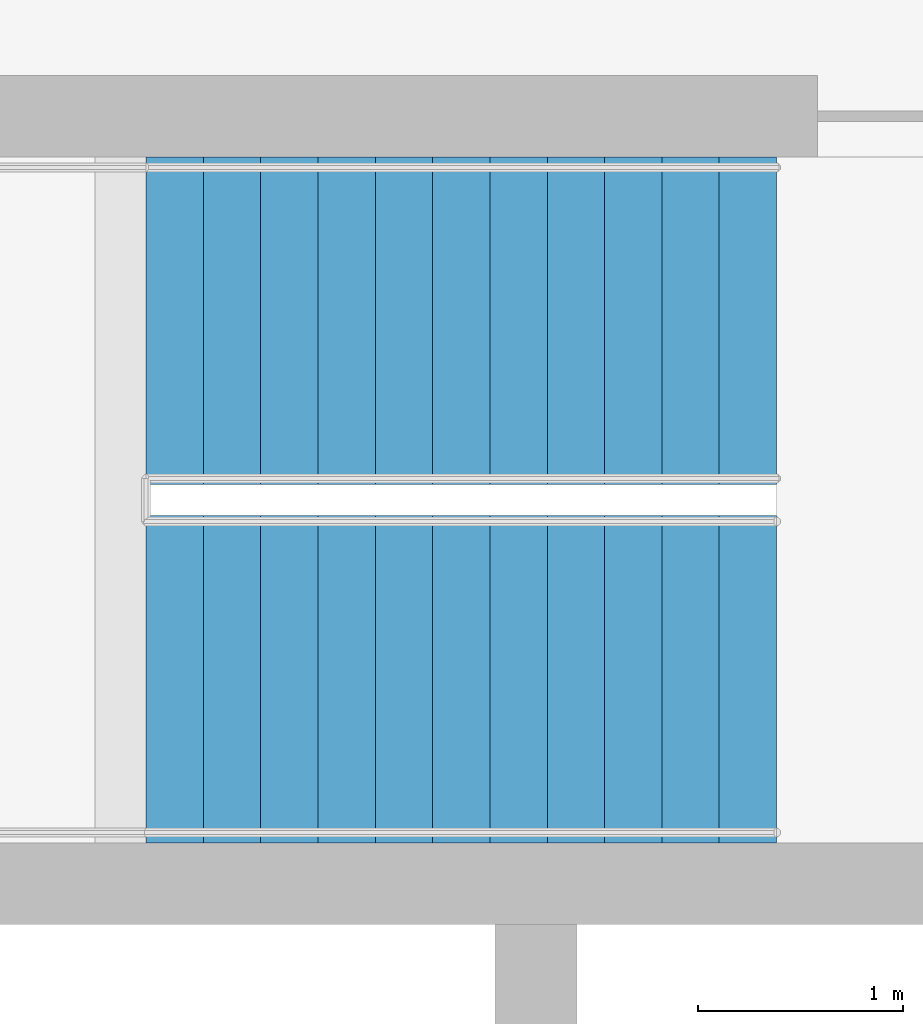
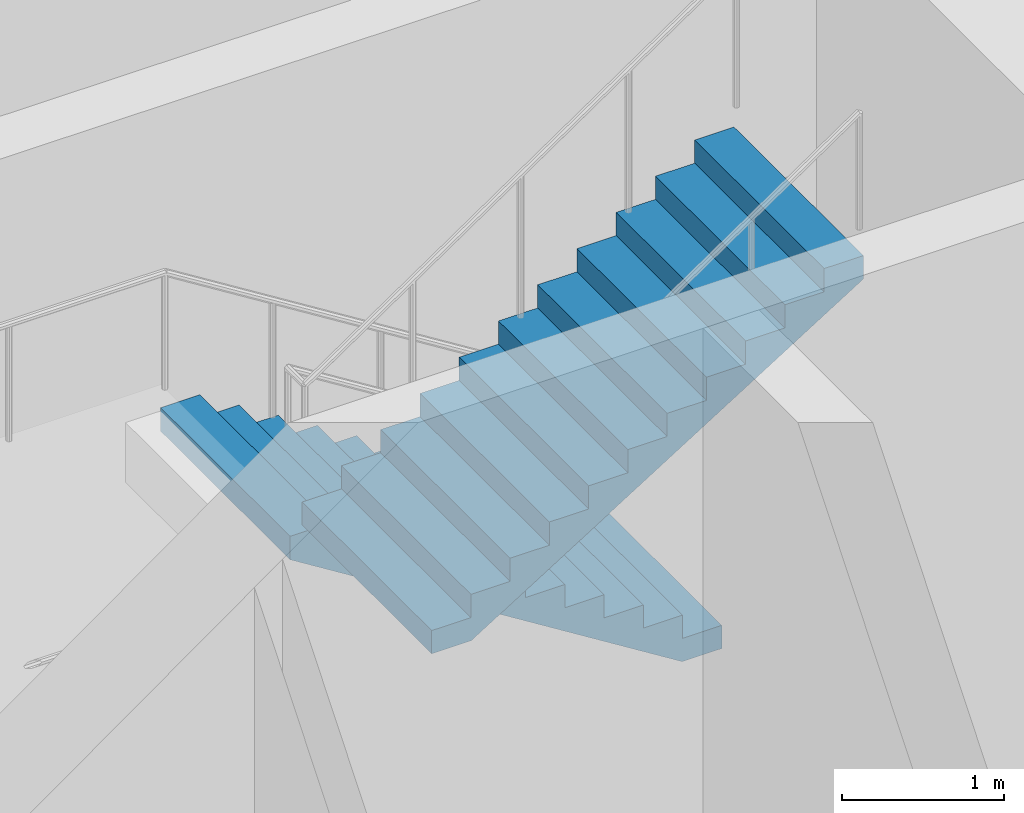
# One storey, part 18 of 23: 2 stair flights, 1 element without a shape of its own.
"""IFC4 building model written with IfcOpenShell, lengths in metres."""

from ifc_helpers import new_model, si_unit, direction, frame, origin, place, context, subcontext, project, spatial, polyline, outline, extrude, material, type_object, element, aggregate, save


model = new_model("IFC4")

# Units and contexts
model_context = context("Model", 3, precision=1e-05, world=origin(), true_north=direction((0.0, 1.0)))
body_context = subcontext(model_context, "Body", "Model", "MODEL_VIEW")
ifc_project = project(units=[si_unit("LENGTHUNIT", "METRE"), si_unit("AREAUNIT", "SQUARE_METRE"), si_unit("VOLUMEUNIT", "CUBIC_METRE"), si_unit("PLANEANGLEUNIT", "RADIAN"), si_unit("MASSUNIT", "GRAM", prefix="KILO")], contexts=[model_context])

# Site, building, storey
site_placement = place(None, origin())
site = spatial("IfcSite", under=ifc_project, at=site_placement, CompositionType="ELEMENT")
building_placement = place(site_placement, origin())
building = spatial("IfcBuilding", under=site, at=building_placement, Name="Cobogo Forest Laboratory Tower", CompositionType="ELEMENT")
storey_placement = place(building_placement, frame((0.0, 0.0, 128.39990234375)))
storey = spatial("IfcBuildingStorey", under=building, at=storey_placement, Name="L29", CompositionType="ELEMENT", Elevation=128.39990234375)

# Stair, stair flights
ifc_material = material(Name="Precast concrete HA-40 (C40/50)", Category="concrete")
stair_type = type_object("IfcStairType", Name="ST24 exit stair 24 risers", PredefinedType="HALF_TURN_STAIR", material=ifc_material)
stair_placement = place(storey_placement, origin())
stair = element("IfcStair", 1, at=stair_placement, inside=storey, type_object=stair_type, Name="Stair 2 L29 to L30", PredefinedType="HALF_TURN_STAIR")
stair_flight_type = type_object("IfcStairFlightType", Name="ST stair flight 280 going", PredefinedType="STRAIGHT", material=ifc_material)
stair_flight_1_placement = place(storey_placement, frame((37.47509765625, 25.699951171875, 0.0), z_axis=(0.0, 0.0, 1.0), x_axis=(-1.0, 0.0, 0.0)))
stair_flight_1 = element("IfcStairFlight", 2, at=stair_flight_1_placement, type_object=stair_flight_type, Name="ST2 flight 1", NumberOfRisers=12, NumberOfTreads=11, PredefinedType="STRAIGHT", RiserHeight=0.175, TreadLength=0.28, context=body_context, shape_type="SweptSolid", body=[
    extrude(outline(polyline([(0.0, 0.0), (0.0, 0.175048828125), (0.280029296875, 0.175048828125), (0.280029296875, 0.35009765625), (0.56005859375, 0.35009765625), (0.56005859375, 0.52490234375), (0.840087890625, 0.52490234375), (0.840087890625, 0.699951171875), (1.1201171875, 0.699951171875), (1.1201171875, 0.875), (1.39990234375, 0.875), (1.39990234375, 1.050048828125), (1.679931640625, 1.050048828125), (1.679931640625, 1.22509765625), (1.9599609375, 1.22509765625), (1.9599609375, 1.39990234375), (2.239990234375, 1.39990234375), (2.239990234375, 1.574951171875), (2.52001953125, 1.574951171875), (2.52001953125, 1.75), (2.800048828125, 1.75), (2.800048828125, 1.925048828125), (3.080078125, 1.925048828125), (3.080078125, 2.10009765625), (3.080078125, 1.748291015625), (0.28271484375, 0.0), (0.0, 0.0)])), frame((0.0, 0.800048828125, 0.0), z_axis=(0.0, -1.0, 0.0), x_axis=(1.0, 0.0, 0.0)), (0.0, 0.0, 1.0), 1.60009765625),
])
stair_flight_2_placement = place(storey_placement, frame((34.39501953125, 23.949951171875, 2.10009765625), z_axis=(0.0, 0.0, 1.0), x_axis=(1.0, 0.0, 0.0)))
stair_flight_2 = element("IfcStairFlight", 3, at=stair_flight_2_placement, type_object=stair_flight_type, Name="ST2 flight 2", NumberOfRisers=12, NumberOfTreads=11, PredefinedType="STRAIGHT", RiserHeight=0.175, TreadLength=0.28, context=body_context, shape_type="SweptSolid", body=[
    extrude(outline(polyline([(0.0, 0.0), (0.0, 0.175048828125), (0.280029296875, 0.175048828125), (0.280029296875, 0.35009765625), (0.56005859375, 0.35009765625), (0.56005859375, 0.52490234375), (0.840087890625, 0.52490234375), (0.840087890625, 0.699951171875), (1.1201171875, 0.699951171875), (1.1201171875, 0.875), (1.39990234375, 0.875), (1.39990234375, 1.050048828125), (1.679931640625, 1.050048828125), (1.679931640625, 1.22509765625), (1.9599609375, 1.22509765625), (1.9599609375, 1.39990234375), (2.239990234375, 1.39990234375), (2.239990234375, 1.574951171875), (2.52001953125, 1.574951171875), (2.52001953125, 1.75), (2.800048828125, 1.75), (2.800048828125, 1.925048828125), (3.080078125, 1.925048828125), (3.080078125, 2.10009765625), (3.080078125, 1.748291015625), (0.28271484375, 0.0), (0.0, 0.0)])), frame((0.0, 0.800048828125, 0.0), z_axis=(0.0, -1.0, 0.0), x_axis=(1.0, 0.0, 0.0)), (0.0, 0.0, 1.0), 1.60009765625),
])
aggregate(stair, [stair_flight_1, stair_flight_2])

save(model, "model.ifc")
